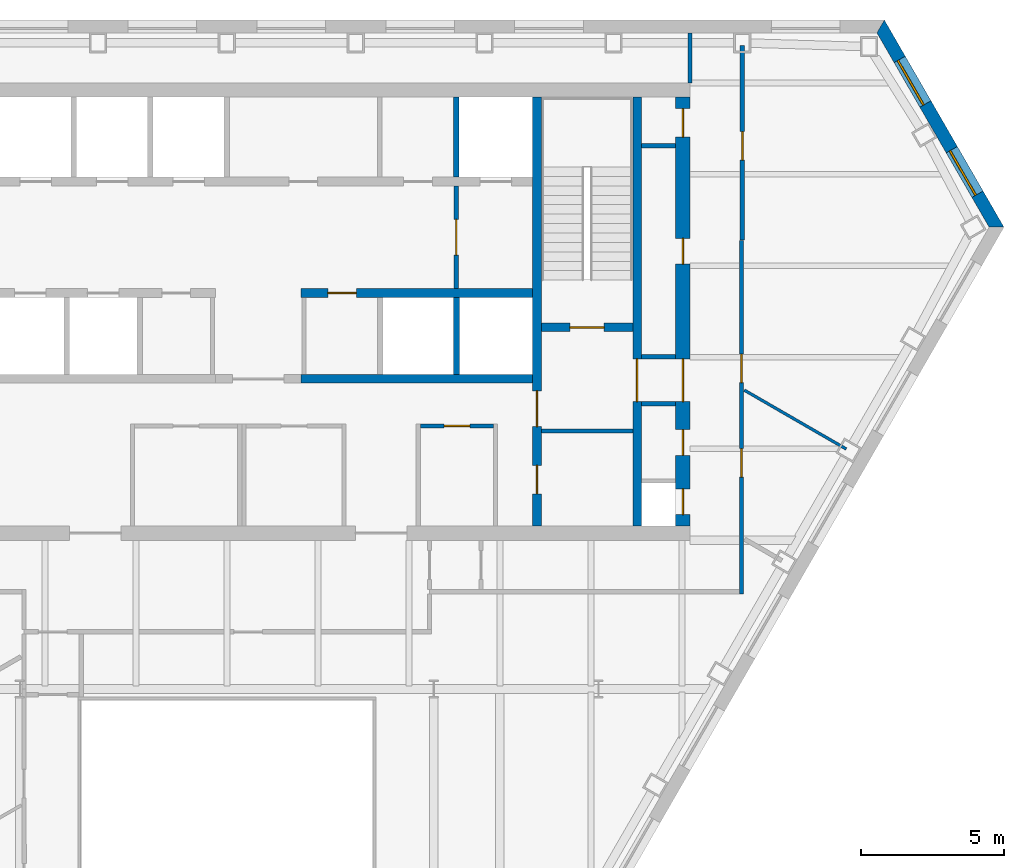
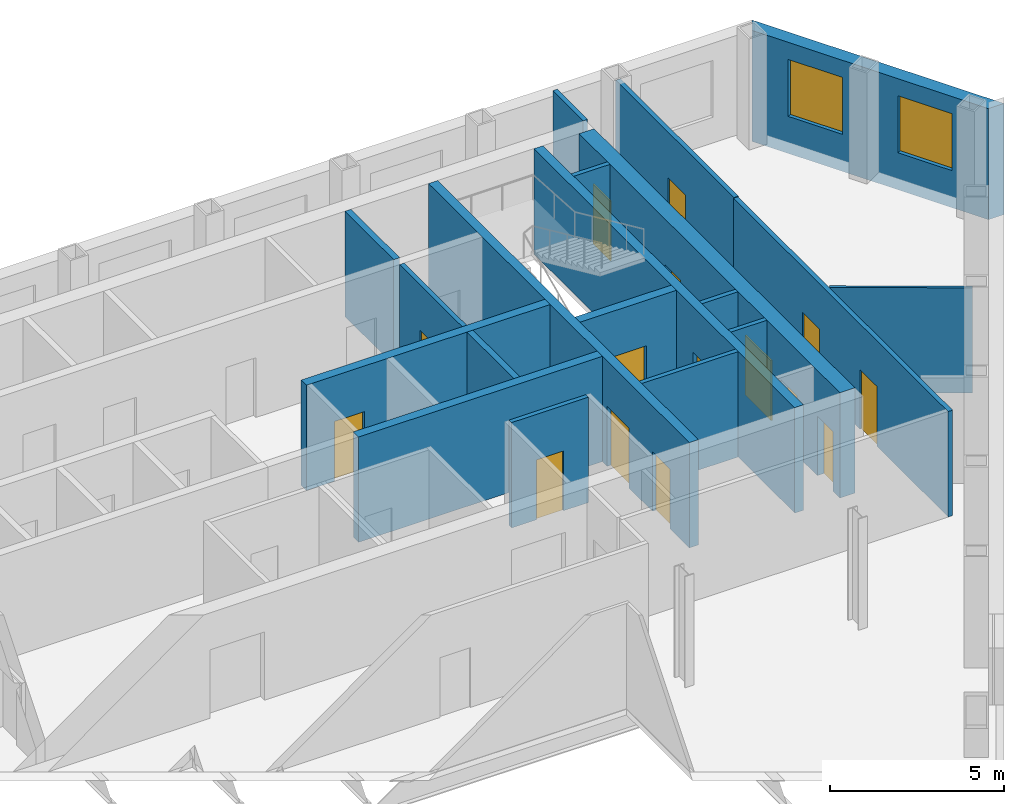
# One storey, part 7 of 10: 19 walls, 15 doors, 2 windows, 17 openings.
"""IFC4 building model written with IfcOpenShell, lengths in metres."""

from ifc_helpers import new_model, si_unit, direction, frame, frame_2d, origin, place, context, subcontext, project, spatial, polyline, rectangle, outline, extrude, material, layer, layer_set, type_object, element, fill, save


model = new_model("IFC4")

# Units and contexts
model_context = context("Model", 3, precision=1e-05, world=origin(), true_north=direction((0.0, 1.0)))
body_context = subcontext(model_context, "Body", "Model", "MODEL_VIEW")
ifc_project = project(units=[si_unit("LENGTHUNIT", "METRE"), si_unit("AREAUNIT", "SQUARE_METRE"), si_unit("VOLUMEUNIT", "CUBIC_METRE"), si_unit("PLANEANGLEUNIT", "RADIAN"), si_unit("MASSUNIT", "GRAM", prefix="KILO")], contexts=[model_context])

# Site, building, storey
site_placement = place(None, origin())
site = spatial("IfcSite", under=ifc_project, at=site_placement, CompositionType="ELEMENT")
building_placement = place(site_placement, origin())
building = spatial("IfcBuilding", under=site, at=building_placement, Name="Njiva Tower", CompositionType="ELEMENT")
storey_placement = place(building_placement, frame((0.0, 0.0, 171.0)))
storey = spatial("IfcBuildingStorey", under=building, at=storey_placement, Name="L37", CompositionType="ELEMENT", Elevation=171.0)

# Walls
ifc_material_1 = material(Name="Blockwork", Category="masonry")
ifc_layer_1 = layer(ifc_material_1, 0.15)
ifc_layer_set_1 = layer_set([ifc_layer_1], Name="Blockwork")
wall_type_1 = type_object("IfcWallType", Name="WT1 Compartment partition 150", PredefinedType="PARTITIONING", material=ifc_layer_set_1)
wall_1_placement = place(storey_placement, frame((11.0, 5.825, 0.0), z_axis=(0.0, 0.0, 1.0), x_axis=(1.0, 0.0, 0.0)))
element("IfcWall", 1, at=wall_1_placement, inside=storey, type_object=wall_type_1, Name="Room wall B", PredefinedType="PARTITIONING", context=body_context, shape_type="SweptSolid", body=[
    extrude(rectangle(XDim=3.2, YDim=0.15, at=frame_2d((1.6, 0.0))), origin(), (0.0, 0.0, 1.0), 3.7),
])
wall_2_placement = place(storey_placement, frame((14.5, 15.801, 0.0), z_axis=(0.0, 0.0, 1.0), x_axis=(1.0, 0.0, 0.0)))
element("IfcWall", 2, at=wall_2_placement, inside=storey, type_object=wall_type_1, Name="Partition strip E10", PredefinedType="PARTITIONING", context=body_context, shape_type="SweptSolid", body=[
    extrude(rectangle(XDim=1.2, YDim=0.15, at=frame_2d((0.6, 0.0))), origin(), (0.0, 0.0, 1.0), 3.7),
])

# Wall, opening, door
wall_3_placement = place(storey_placement, frame((6.775, 6.0, 0.0), z_axis=(0.0, 0.0, 1.0), x_axis=(1.0, 0.0, 0.0)))
wall_3 = element("IfcWall", 3, at=wall_3_placement, inside=storey, type_object=wall_type_1, Name="Security office wall north", PredefinedType="PARTITIONING", context=body_context, shape_type="SweptSolid", body=[
    extrude(rectangle(XDim=2.55, YDim=0.15, at=frame_2d((1.275, 0.0))), origin(), (0.0, 0.0, 1.0), 3.7),
])
opening_1_placement = place(wall_3_placement, frame((0.825, 0.0, 0.0)))
opening_1 = element("IfcOpeningElement", 4, at=opening_1_placement, cuts=wall_3, Name="Opening S12-D935", PredefinedType="OPENING", context=body_context, shape_type="SweptSolid", body=[
    extrude(rectangle(XDim=0.9, YDim=2.1, at=frame_2d((0.45, 1.05))), frame((0.0, 0.085, 0.0), z_axis=(0.0, -1.0, 0.0), x_axis=(1.0, 0.0, 0.0)), (0.0, 0.0, 1.0), 0.17),
])
ifc_material_2 = material(Name="Steel fire door, painted", Category="steel")
door_type_1 = type_object("IfcDoorType", Name="D6 Fire-rated door 900x2100", OperationType="SINGLE_SWING_LEFT", PredefinedType="DOOR", material=ifc_material_2)
door_1_placement = place(opening_1_placement, origin())
door_1 = element("IfcDoor", 5, at=door_1_placement, inside=storey, type_object=door_type_1, Name="Security office door", OperationType="SINGLE_SWING_RIGHT", OverallHeight=2.1, OverallWidth=0.9, PredefinedType="DOOR", context=body_context, shape_type="SweptSolid", body=[
    extrude(rectangle(XDim=0.9, YDim=2.1, at=frame_2d((0.45, 1.05))), frame((0.0, 0.025, 0.0), z_axis=(0.0, -1.0, 0.0), x_axis=(1.0, 0.0, 0.0)), (0.0, 0.0, 1.0), 0.05),
])
fill(opening_1, door_1)

# Wall, openings, doors
ifc_material_3 = material(Name="Concrete C40/50", Category="concrete")
ifc_layer_2 = layer(ifc_material_3, 0.3)
ifc_layer_set_2 = layer_set([ifc_layer_2], Name="Concrete C40/50")
wall_type_2 = type_object("IfcWallType", Name="WT10 Stair enclosure wall 300", PredefinedType="SHEAR", material=ifc_layer_set_2)
wall_4_placement = place(storey_placement, frame((10.85, 2.5, 0.0), z_axis=(0.0, 0.0, 1.0), x_axis=(0.0, 1.0, 0.0)))
wall_4 = element("IfcWall", 6, at=wall_4_placement, inside=storey, type_object=wall_type_2, Name="Stair wall east inner", PredefinedType="SHEAR", context=body_context, shape_type="SweptSolid", body=[
    extrude(rectangle(XDim=15.0, YDim=0.3, at=frame_2d((7.5, 0.0))), origin(), (0.0, 0.0, 1.0), 3.7),
])
opening_2_placement = place(wall_4_placement, frame((3.475, 0.0, 0.0)))
opening_2 = element("IfcOpeningElement", 7, at=opening_2_placement, cuts=wall_4, Name="Opening S12-D919", PredefinedType="OPENING", context=body_context, shape_type="SweptSolid", body=[
    extrude(rectangle(XDim=1.25, YDim=2.1, at=frame_2d((0.625, 1.05))), frame((0.0, 0.16, 0.0), z_axis=(0.0, -1.0, 0.0), x_axis=(1.0, 0.0, 0.0)), (0.0, 0.0, 1.0), 0.32),
])
opening_3_placement = place(wall_4_placement, frame((1.125, 0.0, 0.0)))
opening_3 = element("IfcOpeningElement", 8, at=opening_3_placement, cuts=wall_4, Name="Opening S12-D920", PredefinedType="OPENING", context=body_context, shape_type="SweptSolid", body=[
    extrude(rectangle(XDim=1.0, YDim=2.1, at=frame_2d((0.5, 1.05))), frame((0.0, 0.16, 0.0), z_axis=(0.0, -1.0, 0.0), x_axis=(1.0, 0.0, 0.0)), (0.0, 0.0, 1.0), 0.32),
])
ifc_material_4 = material(Name="Steel door, painted", Category="steel")
door_type_2 = type_object("IfcDoorType", Name="D5 Steel door 1000x2100", OperationType="SINGLE_SWING_LEFT", PredefinedType="DOOR", material=ifc_material_4)
door_2_placement = place(opening_3_placement, origin())
door_2 = element("IfcDoor", 9, at=door_2_placement, inside=storey, type_object=door_type_2, Name="Breakout room door", OperationType="SINGLE_SWING_LEFT", OverallHeight=2.1, OverallWidth=1.0, PredefinedType="DOOR", context=body_context, shape_type="SweptSolid", body=[
    extrude(rectangle(XDim=1.0, YDim=2.1, at=frame_2d((0.5, 1.05))), frame((0.0, 0.025, 0.0), z_axis=(0.0, -1.0, 0.0), x_axis=(1.0, 0.0, 0.0)), (0.0, 0.0, 1.0), 0.05),
])
fill(opening_3, door_2)
ifc_material_5 = material(Name="Glazed steel fire door", Category="steel")
door_type_3 = type_object("IfcDoorType", Name="D8 Vestibule corridor door 1250x2100 glazed", OperationType="SINGLE_SWING_LEFT", PredefinedType="DOOR", material=ifc_material_5)
door_3_placement = place(opening_2_placement, origin())
door_3 = element("IfcDoor", 10, at=door_3_placement, inside=storey, type_object=door_type_3, Name="Stair vestibule corridor door", OperationType="SINGLE_SWING_RIGHT", OverallHeight=2.1, OverallWidth=1.25, PredefinedType="DOOR", context=body_context, shape_type="SweptSolid", body=[
    extrude(rectangle(XDim=1.25, YDim=2.1, at=frame_2d((0.625, 1.05))), frame((0.0, 0.025, 0.0), z_axis=(0.0, -1.0, 0.0), x_axis=(1.0, 0.0, 0.0)), (0.0, 0.0, 1.0), 0.05),
])
fill(opening_2, door_3)

# Wall, opening, door
wall_5_placement = place(storey_placement, frame((14.35, 2.5, 0.0), z_axis=(0.0, 0.0, 1.0), x_axis=(0.0, 1.0, 0.0)))
wall_5 = element("IfcWall", 11, at=wall_5_placement, inside=storey, type_object=wall_type_2, Name="Stair wall east outer", PredefinedType="SHEAR", context=body_context, shape_type="SweptSolid", body=[
    extrude(rectangle(XDim=15.0, YDim=0.3, at=frame_2d((7.5, 0.0))), origin(), (0.0, 0.0, 1.0), 3.7),
])
opening_4_placement = place(wall_5_placement, frame((4.35, 0.0, 0.0)))
opening_4 = element("IfcOpeningElement", 12, at=opening_4_placement, cuts=wall_5, Name="Opening S12-D927", PredefinedType="OPENING", context=body_context, shape_type="SweptSolid", body=[
    extrude(rectangle(XDim=1.5, YDim=2.1, at=frame_2d((0.75, 1.05))), frame((0.0, 0.16, 0.0), z_axis=(0.0, -1.0, 0.0), x_axis=(1.0, 0.0, 0.0)), (0.0, 0.0, 1.0), 0.32),
])
door_type_4 = type_object("IfcDoorType", Name="D10 Exit door double 1500x2100 glazed", OperationType="DOUBLE_DOOR_SINGLE_SWING", PredefinedType="DOOR", material=ifc_material_5)
door_4_placement = place(opening_4_placement, origin())
door_4 = element("IfcDoor", 13, at=door_4_placement, inside=storey, type_object=door_type_4, Name="Stair B passage door", OperationType="DOUBLE_DOOR_SINGLE_SWING", OverallHeight=2.1, OverallWidth=1.5, PredefinedType="DOOR", context=body_context, shape_type="SweptSolid", body=[
    extrude(rectangle(XDim=1.5, YDim=2.1, at=frame_2d((0.75, 1.05))), frame((0.0, 0.025, 0.0), z_axis=(0.0, -1.0, 0.0), x_axis=(1.0, 0.0, 0.0)), (0.0, 0.0, 1.0), 0.05),
])
fill(opening_4, door_4)

wall_6_placement = place(storey_placement, frame((11.0, 9.45, 0.0), z_axis=(0.0, 0.0, 1.0), x_axis=(1.0, 0.0, 0.0)))
wall_6 = element("IfcWall", 14, at=wall_6_placement, inside=storey, type_object=wall_type_2, Name="Stair B south wall", PredefinedType="SHEAR", context=body_context, shape_type="SweptSolid", body=[
    extrude(rectangle(XDim=3.2, YDim=0.3, at=frame_2d((1.6, 0.0))), origin(), (0.0, 0.0, 1.0), 3.7),
])
opening_5_placement = place(wall_6_placement, frame((1.0, 0.0, 0.0)))
opening_5 = element("IfcOpeningElement", 15, at=opening_5_placement, cuts=wall_6, Name="Opening S12-D918", PredefinedType="OPENING", context=body_context, shape_type="SweptSolid", body=[
    extrude(rectangle(XDim=1.2, YDim=2.1, at=frame_2d((0.6, 1.05))), frame((0.0, 0.16, 0.0), z_axis=(0.0, -1.0, 0.0), x_axis=(1.0, 0.0, 0.0)), (0.0, 0.0, 1.0), 0.32),
])
door_type_5 = type_object("IfcDoorType", Name="D7 Stair vestibule door 1200x2100 glazed", OperationType="SINGLE_SWING_LEFT", PredefinedType="DOOR", material=ifc_material_5)
door_5_placement = place(opening_5_placement, origin())
door_5 = element("IfcDoor", 16, at=door_5_placement, inside=storey, type_object=door_type_5, Name="Stair B door", OperationType="SINGLE_SWING_LEFT", OverallHeight=2.1, OverallWidth=1.2, PredefinedType="DOOR", context=body_context, shape_type="SweptSolid", body=[
    extrude(rectangle(XDim=1.2, YDim=2.1, at=frame_2d((0.6, 1.05))), frame((0.0, 0.025, 0.0), z_axis=(0.0, -1.0, 0.0), x_axis=(1.0, 0.0, 0.0)), (0.0, 0.0, 1.0), 0.05),
])
fill(opening_5, door_5)

# Wall, openings, doors
ifc_material_6 = material(Name="Concrete C60/75", Category="concrete")
ifc_layer_3 = layer(ifc_material_6, 0.5)
ifc_layer_set_3 = layer_set([ifc_layer_3], Name="Concrete C60/75")
wall_type_3 = type_object("IfcWallType", Name="WT13 Core wall 500", PredefinedType="SHEAR", material=ifc_layer_set_3)
wall_7_placement = place(storey_placement, frame((15.95, 2.5, 0.0), z_axis=(0.0, 0.0, 1.0), x_axis=(0.0, 1.0, 0.0)))
wall_7 = element("IfcWall", 17, at=wall_7_placement, inside=storey, type_object=wall_type_3, Name="Core wall east", PredefinedType="SHEAR", context=body_context, shape_type="SweptSolid", body=[
    extrude(rectangle(XDim=15.0, YDim=0.5, at=frame_2d((7.5, 0.0))), origin(), (0.0, 0.0, 1.0), 3.7),
])
opening_6_placement = place(wall_7_placement, frame((4.35, 0.0, 0.0)))
opening_6 = element("IfcOpeningElement", 18, at=opening_6_placement, cuts=wall_7, Name="Opening S12-D928", PredefinedType="OPENING", context=body_context, shape_type="SweptSolid", body=[
    extrude(rectangle(XDim=1.5, YDim=2.1, at=frame_2d((0.75, 1.05))), frame((0.0, 0.26, 0.0), z_axis=(0.0, -1.0, 0.0), x_axis=(1.0, 0.0, 0.0)), (0.0, 0.0, 1.0), 0.52),
])
opening_7_placement = place(wall_7_placement, frame((0.4, 0.0, 0.0)))
opening_7 = element("IfcOpeningElement", 19, at=opening_7_placement, cuts=wall_7, Name="Opening S12-D929", PredefinedType="OPENING", context=body_context, shape_type="SweptSolid", body=[
    extrude(rectangle(XDim=0.9, YDim=2.1, at=frame_2d((0.45, 1.05))), frame((0.0, 0.26, 0.0), z_axis=(0.0, -1.0, 0.0), x_axis=(1.0, 0.0, 0.0)), (0.0, 0.0, 1.0), 0.52),
])
opening_8_placement = place(wall_7_placement, frame((2.475, 0.0, 0.0)))
opening_8 = element("IfcOpeningElement", 20, at=opening_8_placement, cuts=wall_7, Name="Opening S12-D930", PredefinedType="OPENING", context=body_context, shape_type="SweptSolid", body=[
    extrude(rectangle(XDim=0.9, YDim=2.1, at=frame_2d((0.45, 1.05))), frame((0.0, 0.26, 0.0), z_axis=(0.0, -1.0, 0.0), x_axis=(1.0, 0.0, 0.0)), (0.0, 0.0, 1.0), 0.52),
])
opening_9_placement = place(wall_7_placement, frame((9.163, 0.0, 0.0)))
opening_9 = element("IfcOpeningElement", 21, at=opening_9_placement, cuts=wall_7, Name="Opening S12-D931", PredefinedType="OPENING", context=body_context, shape_type="SweptSolid", body=[
    extrude(rectangle(XDim=0.9, YDim=2.1, at=frame_2d((0.45, 1.05))), frame((0.0, 0.26, 0.0), z_axis=(0.0, -1.0, 0.0), x_axis=(1.0, 0.0, 0.0)), (0.0, 0.0, 1.0), 0.52),
])
opening_10_placement = place(wall_7_placement, frame((13.6, 0.0, 0.0)))
opening_10 = element("IfcOpeningElement", 22, at=opening_10_placement, cuts=wall_7, Name="Opening S12-D932", PredefinedType="OPENING", context=body_context, shape_type="SweptSolid", body=[
    extrude(rectangle(XDim=1.0, YDim=2.1, at=frame_2d((0.5, 1.05))), frame((0.0, 0.26, 0.0), z_axis=(0.0, -1.0, 0.0), x_axis=(1.0, 0.0, 0.0)), (0.0, 0.0, 1.0), 0.52),
])
door_6_placement = place(opening_6_placement, origin())
door_6 = element("IfcDoor", 23, at=door_6_placement, inside=storey, type_object=door_type_4, Name="Stair B corridor door", OperationType="DOUBLE_DOOR_SINGLE_SWING", OverallHeight=2.1, OverallWidth=1.5, PredefinedType="DOOR", context=body_context, shape_type="SweptSolid", body=[
    extrude(rectangle(XDim=1.5, YDim=2.1, at=frame_2d((0.75, 1.05))), frame((0.0, 0.025, 0.0), z_axis=(0.0, -1.0, 0.0), x_axis=(1.0, 0.0, 0.0)), (0.0, 0.0, 1.0), 0.05),
])
fill(opening_6, door_6)
door_type_6 = type_object("IfcDoorType", Name="D4 Riser door 900x2100", OperationType="SINGLE_SWING_LEFT", PredefinedType="DOOR", material=ifc_material_4)
door_7_placement = place(opening_7_placement, origin())
door_7 = element("IfcDoor", 24, at=door_7_placement, inside=storey, type_object=door_type_6, Name="Cable riser door", OperationType="SINGLE_SWING_LEFT", OverallHeight=2.1, OverallWidth=0.9, PredefinedType="DOOR", context=body_context, shape_type="SweptSolid", body=[
    extrude(rectangle(XDim=0.9, YDim=2.1, at=frame_2d((0.45, 1.05))), frame((0.0, 0.025, 0.0), z_axis=(0.0, -1.0, 0.0), x_axis=(1.0, 0.0, 0.0)), (0.0, 0.0, 1.0), 0.05),
])
fill(opening_7, door_7)
door_8_placement = place(opening_10_placement, origin())
door_8 = element("IfcDoor", 25, at=door_8_placement, inside=storey, type_object=door_type_2, Name="Telecoms room door", OperationType="SINGLE_SWING_RIGHT", OverallHeight=2.1, OverallWidth=1.0, PredefinedType="DOOR", context=body_context, shape_type="SweptSolid", body=[
    extrude(rectangle(XDim=1.0, YDim=2.1, at=frame_2d((0.5, 1.05))), frame((0.0, 0.025, 0.0), z_axis=(0.0, -1.0, 0.0), x_axis=(1.0, 0.0, 0.0)), (0.0, 0.0, 1.0), 0.05),
])
fill(opening_10, door_8)
door_9_placement = place(opening_8_placement, origin())
door_9 = element("IfcDoor", 26, at=door_9_placement, inside=storey, type_object=door_type_1, Name="Cable store door", OperationType="SINGLE_SWING_LEFT", OverallHeight=2.1, OverallWidth=0.9, PredefinedType="DOOR", context=body_context, shape_type="SweptSolid", body=[
    extrude(rectangle(XDim=0.9, YDim=2.1, at=frame_2d((0.45, 1.05))), frame((0.0, 0.025, 0.0), z_axis=(0.0, -1.0, 0.0), x_axis=(1.0, 0.0, 0.0)), (0.0, 0.0, 1.0), 0.05),
])
fill(opening_8, door_9)
door_10_placement = place(opening_9_placement, origin())
door_10 = element("IfcDoor", 27, at=door_10_placement, inside=storey, type_object=door_type_1, Name="Cable store door", OperationType="SINGLE_SWING_RIGHT", OverallHeight=2.1, OverallWidth=0.9, PredefinedType="DOOR", context=body_context, shape_type="SweptSolid", body=[
    extrude(rectangle(XDim=0.9, YDim=2.1, at=frame_2d((0.45, 1.05))), frame((0.0, 0.025, 0.0), z_axis=(0.0, -1.0, 0.0), x_axis=(1.0, 0.0, 0.0)), (0.0, 0.0, 1.0), 0.05),
])
fill(opening_9, door_10)

# Wall, opening, door
ifc_layer_4 = layer(ifc_material_1, 0.15)
ifc_layer_set_4 = layer_set([ifc_layer_4], Name="Blockwork")
wall_type_4 = type_object("IfcWallType", Name="WT2 Lobby partition 150", PredefinedType="PARTITIONING", material=ifc_layer_set_4)
wall_8_placement = place(storey_placement, frame((8.025, 10.8, 0.0), z_axis=(0.0, 0.0, 1.0), x_axis=(0.0, 1.0, 0.0)))
wall_8 = element("IfcWall", 28, at=wall_8_placement, inside=storey, type_object=wall_type_4, Name="Firefighting lobby wall B", PredefinedType="PARTITIONING", context=body_context, shape_type="SweptSolid", body=[
    extrude(rectangle(XDim=3.6, YDim=0.15, at=frame_2d((1.8, 0.0))), origin(), (0.0, 0.0, 1.0), 3.7),
])
opening_11_placement = place(wall_8_placement, frame((1.175, 0.0, 0.0)))
opening_11 = element("IfcOpeningElement", 29, at=opening_11_placement, cuts=wall_8, Name="Opening S12-D917", PredefinedType="OPENING", context=body_context, shape_type="SweptSolid", body=[
    extrude(rectangle(XDim=1.25, YDim=2.1, at=frame_2d((0.625, 1.05))), frame((0.0, 0.085, 0.0), z_axis=(0.0, -1.0, 0.0), x_axis=(1.0, 0.0, 0.0)), (0.0, 0.0, 1.0), 0.17),
])
door_11_placement = place(opening_11_placement, origin())
door_11 = element("IfcDoor", 30, at=door_11_placement, inside=storey, type_object=door_type_3, Name="Stair vestibule corridor door", OperationType="SINGLE_SWING_LEFT", OverallHeight=2.1, OverallWidth=1.25, PredefinedType="DOOR", context=body_context, shape_type="SweptSolid", body=[
    extrude(rectangle(XDim=1.25, YDim=2.1, at=frame_2d((0.625, 1.05))), frame((0.0, 0.025, 0.0), z_axis=(0.0, -1.0, 0.0), x_axis=(1.0, 0.0, 0.0)), (0.0, 0.0, 1.0), 0.05),
])
fill(opening_11, door_11)

# Walls
ifc_material_7 = material(Name="Gypsum board on steel studs", Category="gypsum")
ifc_layer_5 = layer(ifc_material_7, 0.1)
ifc_layer_set_5 = layer_set([ifc_layer_5], Name="Gypsum board on steel studs")
wall_type_5 = type_object("IfcWallType", Name="WT20 Gypsum partition 100", PredefinedType="PARTITIONING", material=ifc_layer_set_5)
wall_9_placement = place(storey_placement, frame((18.1, 7.254, 0.0), z_axis=(0.0, 0.0, 1.0), x_axis=(0.865963207503, -0.50010771165, 0.0)))
element("IfcWall", 31, at=wall_9_placement, inside=storey, type_object=wall_type_5, Name="Partition S12-P030", PredefinedType="PARTITIONING", context=body_context, shape_type="SweptSolid", body=[
    extrude(rectangle(XDim=4.1191, YDim=0.1, at=frame_2d((2.0596, 0.0))), origin(), (0.0, 0.0, 1.0), 3.7),
])
ifc_layer_6 = layer(ifc_material_7, 0.15)
ifc_layer_set_6 = layer_set([ifc_layer_6], Name="Gypsum board on steel studs")
wall_type_6 = type_object("IfcWallType", Name="WT21 Compartment wall 150", PredefinedType="PARTITIONING", material=ifc_layer_set_6)
wall_10_placement = place(storey_placement, frame((16.2, 18.0, 0.0), z_axis=(0.0, 0.0, 1.0), x_axis=(0.0, 1.0, 0.0)))
element("IfcWall", 32, at=wall_10_placement, inside=storey, type_object=wall_type_6, Name="Partition S12-P027", PredefinedType="PARTITIONING", context=body_context, shape_type="SweptSolid", body=[
    extrude(rectangle(XDim=1.75, YDim=0.15, at=frame_2d((0.875, 0.0))), origin(), (0.0, 0.0, 1.0), 3.7),
])

# Wall, openings, doors
wall_11_placement = place(storey_placement, frame((18.0, 0.125, 0.0), z_axis=(0.0, 0.0, 1.0), x_axis=(0.0, 1.0, 0.0)))
wall_11 = element("IfcWall", 33, at=wall_11_placement, inside=storey, type_object=wall_type_6, Name="Partition S12-P028", PredefinedType="PARTITIONING", context=body_context, shape_type="SweptSolid", body=[
    extrude(rectangle(XDim=12.354, YDim=0.15, at=frame_2d((6.177, 0.0))), origin(), (0.0, 0.0, 1.0), 3.7),
])
opening_12_placement = place(wall_11_placement, frame((4.083, 0.0, 0.0)))
opening_12 = element("IfcOpeningElement", 34, at=opening_12_placement, cuts=wall_11, Name="Opening S12-D014", PredefinedType="OPENING", context=body_context, shape_type="SweptSolid", body=[
    extrude(rectangle(XDim=1.0, YDim=2.1, at=frame_2d((0.5, 1.05))), frame((0.0, 0.085, 0.0), z_axis=(0.0, -1.0, 0.0), x_axis=(1.0, 0.0, 0.0)), (0.0, 0.0, 1.0), 0.17),
])
opening_13_placement = place(wall_11_placement, frame((7.387, 0.0, 0.0)))
opening_13 = element("IfcOpeningElement", 35, at=opening_13_placement, cuts=wall_11, Name="Opening S12-D015", PredefinedType="OPENING", context=body_context, shape_type="SweptSolid", body=[
    extrude(rectangle(XDim=1.0, YDim=2.1, at=frame_2d((0.5, 1.05))), frame((0.0, 0.085, 0.0), z_axis=(0.0, -1.0, 0.0), x_axis=(1.0, 0.0, 0.0)), (0.0, 0.0, 1.0), 0.17),
])
ifc_material_8 = material(Name="Steel fire door set", Category="steel")
door_type_7 = type_object("IfcDoorType", Name="D37 Fire door 1000x2100", OperationType="SINGLE_SWING_LEFT", PredefinedType="DOOR", material=ifc_material_8)
door_12_placement = place(opening_12_placement, origin())
door_12 = element("IfcDoor", 36, at=door_12_placement, inside=storey, type_object=door_type_7, Name="Door S12-D014", OperationType="SINGLE_SWING_LEFT", OverallHeight=2.1, OverallWidth=1.0, PredefinedType="DOOR", context=body_context, shape_type="SweptSolid", body=[
    extrude(rectangle(XDim=1.0, YDim=2.1, at=frame_2d((0.5, 1.05))), frame((0.0, 0.025, 0.0), z_axis=(0.0, -1.0, 0.0), x_axis=(1.0, 0.0, 0.0)), (0.0, 0.0, 1.0), 0.05),
])
fill(opening_12, door_12)
door_13_placement = place(opening_13_placement, origin())
door_13 = element("IfcDoor", 37, at=door_13_placement, inside=storey, type_object=door_type_7, Name="Door S12-D015", OperationType="SINGLE_SWING_RIGHT", OverallHeight=2.1, OverallWidth=1.0, PredefinedType="DOOR", context=body_context, shape_type="SweptSolid", body=[
    extrude(rectangle(XDim=1.0, YDim=2.1, at=frame_2d((0.5, 1.05))), frame((0.0, 0.025, 0.0), z_axis=(0.0, -1.0, 0.0), x_axis=(1.0, 0.0, 0.0)), (0.0, 0.0, 1.0), 0.05),
])
fill(opening_13, door_13)

# Wall, opening, door
wall_12_placement = place(storey_placement, frame((18.031, 12.498, 0.0), z_axis=(0.0, 0.0, 1.0), x_axis=(0.0, 1.0, 0.0)))
wall_12 = element("IfcWall", 38, at=wall_12_placement, inside=storey, type_object=wall_type_6, Name="Partition S12-P029", PredefinedType="PARTITIONING", context=body_context, shape_type="SweptSolid", body=[
    extrude(rectangle(XDim=6.802, YDim=0.15, at=frame_2d((3.401, 0.0))), origin(), (0.0, 0.0, 1.0), 3.7),
])
opening_14_placement = place(wall_12_placement, frame((2.801, 0.0, 0.0)))
opening_14 = element("IfcOpeningElement", 39, at=opening_14_placement, cuts=wall_12, Name="Opening S12-D016", PredefinedType="OPENING", context=body_context, shape_type="SweptSolid", body=[
    extrude(rectangle(XDim=1.0, YDim=2.1, at=frame_2d((0.5, 1.05))), frame((0.0, 0.085, 0.0), z_axis=(0.0, -1.0, 0.0), x_axis=(1.0, 0.0, 0.0)), (0.0, 0.0, 1.0), 0.17),
])
door_14_placement = place(opening_14_placement, origin())
door_14 = element("IfcDoor", 40, at=door_14_placement, inside=storey, type_object=door_type_7, Name="Door S12-D016", OperationType="SINGLE_SWING_LEFT", OverallHeight=2.1, OverallWidth=1.0, PredefinedType="DOOR", context=body_context, shape_type="SweptSolid", body=[
    extrude(rectangle(XDim=1.0, YDim=2.1, at=frame_2d((0.5, 1.05))), frame((0.0, 0.025, 0.0), z_axis=(0.0, -1.0, 0.0), x_axis=(1.0, 0.0, 0.0)), (0.0, 0.0, 1.0), 0.05),
])
fill(opening_14, door_14)

# Walls
ifc_layer_7 = layer(ifc_material_1, 0.15)
ifc_layer_set_7 = layer_set([ifc_layer_7], Name="Blockwork")
wall_type_7 = type_object("IfcWallType", Name="WT4 Stair partition 150", PredefinedType="PARTITIONING", material=ifc_layer_set_7)
for number, where, z_axis, x_axis, name in (
    (41, (14.5, 6.775, 0.0), (0.0, 0.0, 1.0), (1.0, 0.0, 0.0), "Stair B exit passage wall south"),
    (42, (14.5, 8.425, 0.0), (0.0, 0.0, 1.0), (1.0, 0.0, 0.0), "Stair B exit passage wall north"),
):
    element("IfcWall", number, at=place(storey_placement, frame(where, z_axis=z_axis, x_axis=x_axis)), inside=storey, type_object=wall_type_7, Name=name, PredefinedType="PARTITIONING", context=body_context, shape_type="SweptSolid", body=[
        extrude(rectangle(XDim=1.2, YDim=0.15, at=frame_2d((0.6, 0.0))), origin(), (0.0, 0.0, 1.0), 3.7),
    ])
ifc_layer_8 = layer(ifc_material_3, 0.2)
ifc_layer_set_8 = layer_set([ifc_layer_8], Name="Concrete C40/50")
wall_type_8 = type_object("IfcWallType", Name="WT6 Lift shaft wall 200", PredefinedType="SHEAR", material=ifc_layer_set_8)
wall_13_placement = place(storey_placement, frame((8.025, 14.7, 0.0), z_axis=(0.0, 0.0, 1.0), x_axis=(0.0, 1.0, 0.0)))
element("IfcWall", 43, at=wall_13_placement, inside=storey, type_object=wall_type_8, Name="Shaft wall CN7", PredefinedType="SHEAR", context=body_context, shape_type="SweptSolid", body=[
    extrude(rectangle(XDim=2.8, YDim=0.2, at=frame_2d((1.4, 0.0))), origin(), (0.0, 0.0, 1.0), 3.7),
])
wall_14_placement = place(storey_placement, frame((8.0333, 7.8, 0.0), z_axis=(0.0, 0.0, 1.0), x_axis=(0.0, 1.0, 0.0)))
element("IfcWall", 44, at=wall_14_placement, inside=storey, type_object=wall_type_8, Name="Shaft wall CS7", PredefinedType="SHEAR", context=body_context, shape_type="SweptSolid", body=[
    extrude(rectangle(XDim=2.7, YDim=0.2, at=frame_2d((1.35, 0.0))), origin(), (0.0, 0.0, 1.0), 3.7),
])

# Wall, opening, door
ifc_layer_9 = layer(ifc_material_3, 0.3)
ifc_layer_set_9 = layer_set([ifc_layer_9], Name="Concrete C40/50")
wall_type_9 = type_object("IfcWallType", Name="WT7 Lift shaft wall 300", PredefinedType="SHEAR", material=ifc_layer_set_9)
wall_15_placement = place(storey_placement, frame((2.6, 10.65, 0.0), z_axis=(0.0, 0.0, 1.0), x_axis=(1.0, 0.0, 0.0)))
wall_15 = element("IfcWall", 45, at=wall_15_placement, inside=storey, type_object=wall_type_9, Name="Shaft wall south row lobby side E", PredefinedType="SHEAR", context=body_context, shape_type="SweptSolid", body=[
    extrude(rectangle(XDim=8.1, YDim=0.3, at=frame_2d((4.05, 0.0))), origin(), (0.0, 0.0, 1.0), 3.7),
])
opening_15_placement = place(wall_15_placement, frame((0.9334, 0.0, 0.0)))
opening_15 = element("IfcOpeningElement", 46, at=opening_15_placement, cuts=wall_15, Name="Opening S12-D912", PredefinedType="OPENING", context=body_context, shape_type="SweptSolid", body=[
    extrude(rectangle(XDim=1.0, YDim=2.1, at=frame_2d((0.5, 1.05))), frame((0.0, 0.16, 0.0), z_axis=(0.0, -1.0, 0.0), x_axis=(1.0, 0.0, 0.0)), (0.0, 0.0, 1.0), 0.32),
])
door_15_placement = place(opening_15_placement, origin())
door_15 = element("IfcDoor", 47, at=door_15_placement, inside=storey, type_object=door_type_2, Name="Business centre door", OperationType="SINGLE_SWING_LEFT", OverallHeight=2.1, OverallWidth=1.0, PredefinedType="DOOR", context=body_context, shape_type="SweptSolid", body=[
    extrude(rectangle(XDim=1.0, YDim=2.1, at=frame_2d((0.5, 1.05))), frame((0.0, 0.025, 0.0), z_axis=(0.0, -1.0, 0.0), x_axis=(1.0, 0.0, 0.0)), (0.0, 0.0, 1.0), 0.05),
])
fill(opening_15, door_15)

# Wall
wall_16_placement = place(storey_placement, frame((2.6, 7.65, 0.0), z_axis=(0.0, 0.0, 1.0), x_axis=(1.0, 0.0, 0.0)))
element("IfcWall", 48, at=wall_16_placement, inside=storey, type_object=wall_type_9, Name="Shaft wall south row back E", PredefinedType="SHEAR", context=body_context, shape_type="SweptSolid", body=[
    extrude(rectangle(XDim=8.1, YDim=0.3, at=frame_2d((4.05, 0.0))), origin(), (0.0, 0.0, 1.0), 3.7),
])

# Wall, openings, windows
ifc_material_9 = material(Name="Brick masonry, buff", Category="masonry")
ifc_layer_10 = layer(ifc_material_9, 0.45)
ifc_layer_set_10 = layer_set([ifc_layer_10], Name="Brick masonry, buff")
wall_type_10 = type_object("IfcWallType", Name="WT94 Brick pier and spandrel wall 450, buff", PredefinedType="SOLIDWALL", material=ifc_layer_set_10)
wall_17_placement = place(storey_placement, frame((26.9252, 12.9514, -0.4), z_axis=(0.0, 0.0, 1.0), x_axis=(-0.500002094529, 0.866024194504, 0.0)))
wall_17 = element("IfcWall", 49, at=wall_17_placement, inside=storey, type_object=wall_type_10, Name="Facade wall NE", PredefinedType="SOLIDWALL", context=body_context, shape_type="SweptSolid", body=[
    extrude(outline(polyline([(-0.1299, -0.225), (8.2401, -0.225), (7.9803, 0.225), (0.1299, 0.225), (-0.1299, -0.225)])), origin(), (0.0, 0.0, 1.0), 3.9),
])
opening_16_placement = place(wall_17_placement, frame((1.3319, 0.0, 1.3)))
opening_16 = element("IfcOpeningElement", 50, at=opening_16_placement, cuts=wall_17, Name="Opening S12-W34", PredefinedType="OPENING", context=body_context, shape_type="SweptSolid", body=[
    extrude(rectangle(XDim=1.8, YDim=2.0, at=frame_2d((0.9, 1.0))), frame((0.0, 0.235, 0.0), z_axis=(0.0, -1.0, 0.0), x_axis=(1.0, 0.0, 0.0)), (0.0, 0.0, 1.0), 0.47),
])
opening_17_placement = place(wall_17_placement, frame((4.9782, 0.0, 1.3)))
opening_17 = element("IfcOpeningElement", 51, at=opening_17_placement, cuts=wall_17, Name="Opening S12-W35", PredefinedType="OPENING", context=body_context, shape_type="SweptSolid", body=[
    extrude(rectangle(XDim=1.8, YDim=2.0, at=frame_2d((0.9, 1.0))), frame((0.0, 0.235, 0.0), z_axis=(0.0, -1.0, 0.0), x_axis=(1.0, 0.0, 0.0)), (0.0, 0.0, 1.0), 0.47),
])
ifc_material_10 = material(Name="Clear glazing in aluminium frame", Category="aluminium")
window_type = type_object("IfcWindowType", Name="W94 Deep-set window 1800x2000", PartitioningType="SINGLE_PANEL", PredefinedType="WINDOW", material=ifc_material_10)
window_1_placement = place(opening_16_placement, origin())
window_1 = element("IfcWindow", 52, at=window_1_placement, inside=storey, type_object=window_type, Name="Window", OverallHeight=2.0, OverallWidth=1.8, PartitioningType="SINGLE_PANEL", PredefinedType="WINDOW", context=body_context, shape_type="SweptSolid", body=[
    extrude(rectangle(XDim=1.8, YDim=2.0, at=frame_2d((0.9, 1.0))), frame((0.0, 0.105, 0.0), z_axis=(0.0, -1.0, 0.0), x_axis=(1.0, 0.0, 0.0)), (0.0, 0.0, 1.0), 0.06),
])
fill(opening_16, window_1)
window_2_placement = place(opening_17_placement, origin())
window_2 = element("IfcWindow", 53, at=window_2_placement, inside=storey, type_object=window_type, Name="Window", OverallHeight=2.0, OverallWidth=1.8, PartitioningType="SINGLE_PANEL", PredefinedType="WINDOW", context=body_context, shape_type="SweptSolid", body=[
    extrude(rectangle(XDim=1.8, YDim=2.0, at=frame_2d((0.9, 1.0))), frame((0.0, 0.105, 0.0), z_axis=(0.0, -1.0, 0.0), x_axis=(1.0, 0.0, 0.0)), (0.0, 0.0, 1.0), 0.06),
])
fill(opening_17, window_2)

save(model, "model.ifc")
